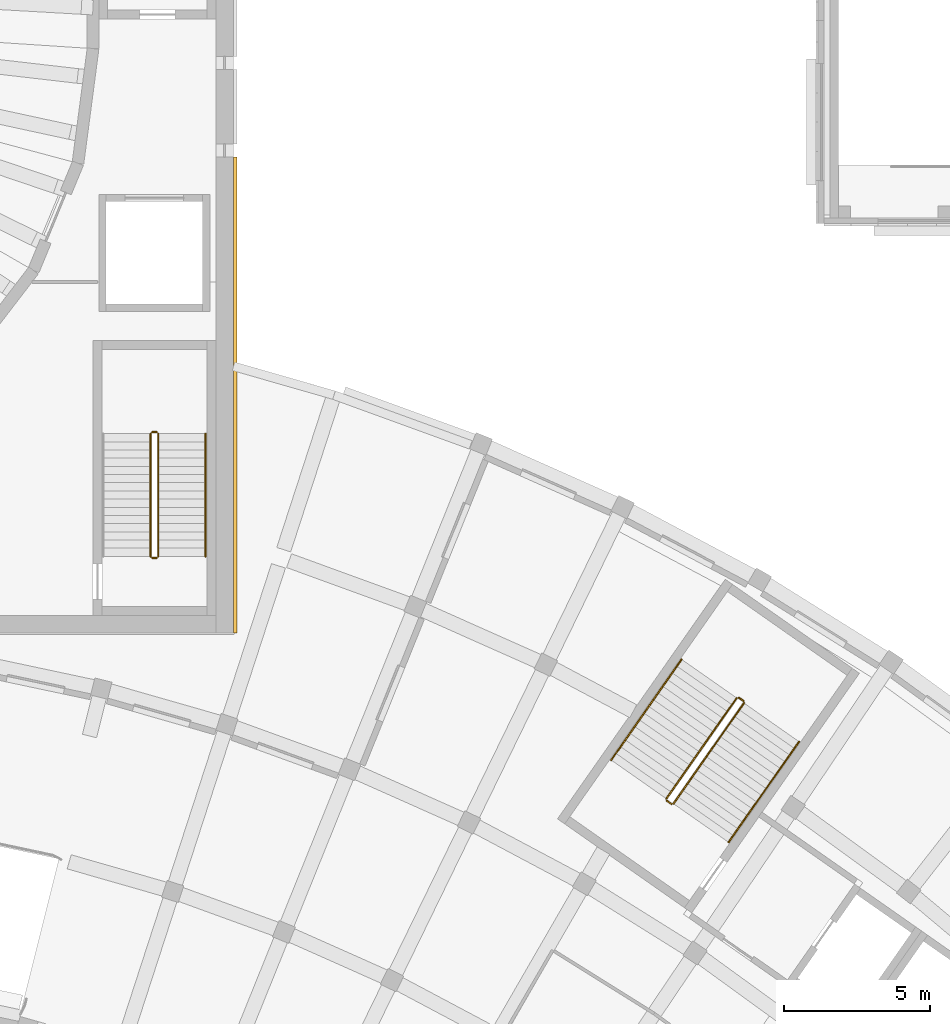
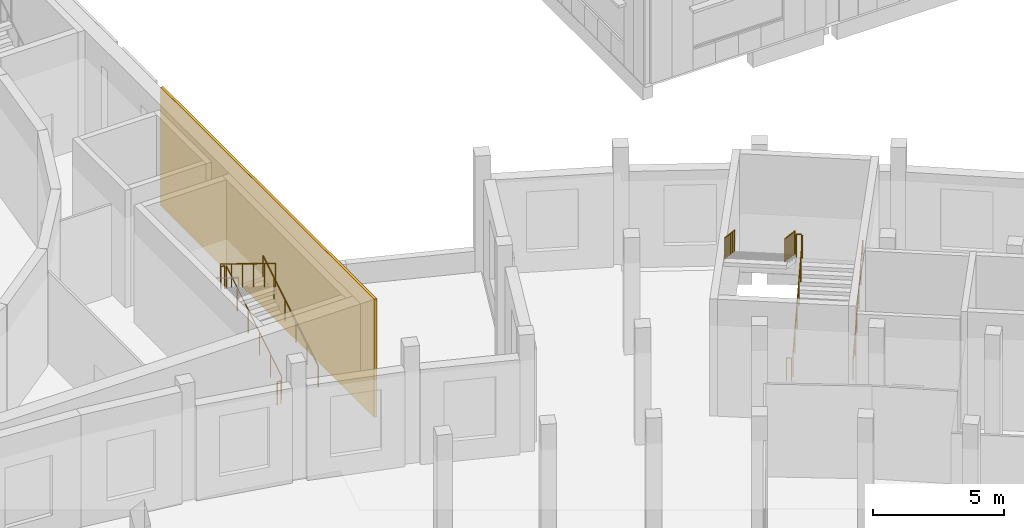
# One storey, part 110 of 132: 11 railings, 1 covering.
"""IFC4 building model written with IfcOpenShell, lengths in metres."""

from ifc_helpers import new_model, si_unit, direction, frame, origin, origin_2d, place, context, subcontext, project, spatial, rectangle, circle, extrude, material, layer, layer_set, type_object, element, save


model = new_model("IFC4")

# Units and contexts
model_context = context("Model", 3, precision=1e-05, world=origin(), true_north=direction((0.0, 1.0)))
body_context = subcontext(model_context, "Body", "Model", "MODEL_VIEW")
ifc_project = project(units=[si_unit("LENGTHUNIT", "METRE"), si_unit("AREAUNIT", "SQUARE_METRE"), si_unit("VOLUMEUNIT", "CUBIC_METRE"), si_unit("PLANEANGLEUNIT", "RADIAN"), si_unit("MASSUNIT", "GRAM", prefix="KILO")], contexts=[model_context])

# Site, building, storey
site_placement = place(None, origin())
site = spatial("IfcSite", under=ifc_project, at=site_placement, CompositionType="ELEMENT")
building_placement = place(site_placement, origin())
building = spatial("IfcBuilding", under=site, at=building_placement, Name="Lunette Opera House", CompositionType="ELEMENT")
storey_placement = place(building_placement, frame((0.0, 0.0, 17.0)))
storey = spatial("IfcBuildingStorey", under=building, at=storey_placement, Name="L03", CompositionType="ELEMENT", Elevation=17.0)

# Covering
ifc_material_1 = material(Name="Clinker brick", Category="masonry")
ifc_layer = layer(ifc_material_1, 0.114990234375)
ifc_layer_set = layer_set([ifc_layer], Name="Clinker brick")
covering_type = type_object("IfcCoveringType", Name="CLINKER CLADDING 115", PredefinedType="CLADDING", material=ifc_layer_set)
covering_placement = place(storey_placement, frame((116.05810546875, 72.137939453125, 0.0), z_axis=(0.0, 0.0, 1.0), x_axis=(1.0, 0.0, 0.0)))
element("IfcCovering", 1, at=covering_placement, inside=storey, type_object=covering_type, Name="Clinker cladding WE L03 1", PredefinedType="CLADDING", context=body_context, shape_type="SweptSolid", body=[
    extrude(rectangle(XDim=0.114990234375, YDim=16.27490234375, at=origin_2d()), origin(), (0.0, 0.0, 1.0), 5.5),
])

# Railings
ifc_material_2 = material(Name="Steel S355", Category="steel")
railing_type_1 = type_object("IfcRailingType", Name="STAIR GUARD 1100", PredefinedType="GUARDRAIL", material=ifc_material_2)
railing_1_placement = place(storey_placement, frame((131.051025390625, 58.16455078125, 0.171875)))
element("IfcRailing", 2, at=railing_1_placement, inside=storey, type_object=railing_type_1, Name="L03 ST3 stair guard 1", PredefinedType="GUARDRAIL", context=body_context, shape_type="SweptSolid", body=[
    extrude(circle(Radius=0.02392578125, at=origin_2d()), frame((0.0, 0.0, 1.076171875), z_axis=(0.488853125881, 0.698106835216, 0.523134273338), x_axis=(-0.819133598779, 0.573602778367, 0.0)), (0.0, 0.0, 1.0), 4.92822265625),
    extrude(circle(Radius=0.02099609375, at=origin_2d()), origin(), (0.0, 0.0, 1.0), 1.052001953125),
    extrude(circle(Radius=0.02099609375, at=origin_2d()), frame((0.48193359375, 0.68798828125, 0.515625)), (0.0, 0.0, 1.0), 1.052001953125),
    extrude(circle(Radius=0.02099609375, at=origin_2d()), frame((0.963623046875, 1.376220703125, 1.03125)), (0.0, 0.0, 1.0), 1.052001953125),
    extrude(circle(Radius=0.02099609375, at=origin_2d()), frame((1.445556640625, 2.064208984375, 1.546875)), (0.0, 0.0, 1.0), 1.052001953125),
    extrude(circle(Radius=0.02099609375, at=origin_2d()), frame((1.92724609375, 2.75244140625, 2.0625)), (0.0, 0.0, 1.0), 1.052001953125),
    extrude(circle(Radius=0.02099609375, at=origin_2d()), frame((2.4091796875, 3.4404296875, 2.578125)), (0.0, 0.0, 1.0), 1.052001953125),
])
railing_2_placement = place(storey_placement, frame((133.44775390625, 61.6748046875, 2.75)))
element("IfcRailing", 3, at=railing_2_placement, inside=storey, type_object=railing_type_1, Name="L03 ST3 stair guard 2", PredefinedType="GUARDRAIL", context=body_context, shape_type="SweptSolid", body=[
    extrude(circle(Radius=0.02392578125, at=origin_2d()), frame((0.0, 0.0, 1.076171875), z_axis=(-0.819289108261, 0.573380638917, 0.0), x_axis=(-0.573380638917, -0.819289108261, 0.0)), (0.0, 0.0, 1.0), 0.200439453125),
    extrude(circle(Radius=0.02099609375, at=origin_2d()), origin(), (0.0, 0.0, 1.0), 1.052001953125),
    extrude(circle(Radius=0.02099609375, at=origin_2d()), frame((-0.164306640625, 0.114990234375, 0.0)), (0.0, 0.0, 1.0), 1.052001953125),
])
railing_3_placement = place(storey_placement, frame((133.2138671875, 61.777587890625, 2.921875)))
element("IfcRailing", 4, at=railing_3_placement, inside=storey, type_object=railing_type_1, Name="L03 ST3 stair guard 3", PredefinedType="GUARDRAIL", context=body_context, shape_type="SweptSolid", body=[
    extrude(circle(Radius=0.02392578125, at=origin_2d()), frame((0.0, 0.0, 1.076171875), z_axis=(-0.488798518461, -0.69814913557, 0.523128849189), x_axis=(0.819180032231, -0.573536463352, 0.0)), (0.0, 0.0, 1.0), 4.92822265625),
    extrude(circle(Radius=0.02099609375, at=origin_2d()), origin(), (0.0, 0.0, 1.0), 1.052001953125),
    extrude(circle(Radius=0.02099609375, at=origin_2d()), frame((-0.481689453125, -0.688232421875, 0.515625)), (0.0, 0.0, 1.0), 1.052001953125),
    extrude(circle(Radius=0.02099609375, at=origin_2d()), frame((-0.963623046875, -1.376220703125, 1.03125)), (0.0, 0.0, 1.0), 1.052001953125),
    extrude(circle(Radius=0.02099609375, at=origin_2d()), frame((-1.4453125, -2.064453125, 1.546875)), (0.0, 0.0, 1.0), 1.052001953125),
    extrude(circle(Radius=0.02099609375, at=origin_2d()), frame((-1.92724609375, -2.75244140625, 2.0625)), (0.0, 0.0, 1.0), 1.052001953125),
    extrude(circle(Radius=0.02099609375, at=origin_2d()), frame((-2.408935546875, -3.440673828125, 2.578125)), (0.0, 0.0, 1.0), 1.052001953125),
])
railing_4_placement = place(storey_placement, frame((130.9814453125, 58.15234375, 0.0)))
element("IfcRailing", 5, at=railing_4_placement, inside=storey, type_object=railing_type_1, Name="L03 ST3 stair guard 4", PredefinedType="GUARDRAIL", context=body_context, shape_type="SweptSolid", body=[
    extrude(circle(Radius=0.02392578125, at=origin_2d()), frame((0.0, 0.0, 1.076171875), z_axis=(-0.819289108261, 0.573380638917, 0.0), x_axis=(-0.573380638917, -0.819289108261, 0.0)), (0.0, 0.0, 1.0), 0.200439453125),
    extrude(circle(Radius=0.02099609375, at=origin_2d()), origin(), (0.0, 0.0, 1.0), 1.052001953125),
    extrude(circle(Radius=0.02099609375, at=origin_2d()), frame((-0.164306640625, 0.114990234375, 0.0)), (0.0, 0.0, 1.0), 1.052001953125),
])
railing_5_placement = place(storey_placement, frame((113.429931640625, 66.6201171875, 0.171875)))
element("IfcRailing", 6, at=railing_5_placement, inside=storey, type_object=railing_type_1, Name="L03 ST8 stair guard 1", PredefinedType="GUARDRAIL", context=body_context, shape_type="SweptSolid", body=[
    extrude(circle(Radius=0.02392578125, at=origin_2d()), frame((0.0, 0.0, 1.076171875), z_axis=(0.0, 0.852242915053, 0.523146264196), x_axis=(-1.0, 0.0, 0.0)), (0.0, 0.0, 1.0), 4.92822265625),
    extrude(circle(Radius=0.02099609375, at=origin_2d()), origin(), (0.0, 0.0, 1.0), 1.052001953125),
    extrude(circle(Radius=0.02099609375, at=origin_2d()), frame((0.0, 0.840087890625, 0.515625)), (0.0, 0.0, 1.0), 1.052001953125),
    extrude(circle(Radius=0.02099609375, at=origin_2d()), frame((0.0, 1.679931640625, 1.03125)), (0.0, 0.0, 1.0), 1.052001953125),
    extrude(circle(Radius=0.02099609375, at=origin_2d()), frame((0.0, 2.52001953125, 1.546875)), (0.0, 0.0, 1.0), 1.052001953125),
    extrude(circle(Radius=0.02099609375, at=origin_2d()), frame((0.0, 3.35986328125, 2.0625)), (0.0, 0.0, 1.0), 1.052001953125),
    extrude(circle(Radius=0.02099609375, at=origin_2d()), frame((0.0, 4.199951171875, 2.578125)), (0.0, 0.0, 1.0), 1.052001953125),
])
railing_6_placement = place(storey_placement, frame((113.3798828125, 70.8701171875, 2.75)))
element("IfcRailing", 7, at=railing_6_placement, inside=storey, type_object=railing_type_1, Name="L03 ST8 stair guard 2", PredefinedType="GUARDRAIL", context=body_context, shape_type="SweptSolid", body=[
    extrude(circle(Radius=0.02392578125, at=origin_2d()), frame((0.0, 0.0, 1.076171875), z_axis=(-1.0, 0.0, 0.0), x_axis=(0.0, -1.0, 0.0)), (0.0, 0.0, 1.0), 0.159912109375),
    extrude(circle(Radius=0.02099609375, at=origin_2d()), origin(), (0.0, 0.0, 1.0), 1.052001953125),
    extrude(circle(Radius=0.02099609375, at=origin_2d()), frame((-0.159912109375, 0.0, 0.0)), (0.0, 0.0, 1.0), 1.052001953125),
])
railing_7_placement = place(storey_placement, frame((113.169921875, 70.820068359375, 2.921875)))
element("IfcRailing", 8, at=railing_7_placement, inside=storey, type_object=railing_type_1, Name="L03 ST8 stair guard 3", PredefinedType="GUARDRAIL", context=body_context, shape_type="SweptSolid", body=[
    extrude(circle(Radius=0.02392578125, at=origin_2d()), frame((0.0, 0.0, 1.076171875), z_axis=(0.0, -0.852242915053, 0.523146264196), x_axis=(1.0, 0.0, 0.0)), (0.0, 0.0, 1.0), 4.92822265625),
    extrude(circle(Radius=0.02099609375, at=origin_2d()), origin(), (0.0, 0.0, 1.0), 1.052001953125),
    extrude(circle(Radius=0.02099609375, at=origin_2d()), frame((0.0, -0.840087890625, 0.515625)), (0.0, 0.0, 1.0), 1.052001953125),
    extrude(circle(Radius=0.02099609375, at=origin_2d()), frame((0.0, -1.679931640625, 1.03125)), (0.0, 0.0, 1.0), 1.052001953125),
    extrude(circle(Radius=0.02099609375, at=origin_2d()), frame((0.0, -2.52001953125, 1.546875)), (0.0, 0.0, 1.0), 1.052001953125),
    extrude(circle(Radius=0.02099609375, at=origin_2d()), frame((0.0, -3.35986328125, 2.0625)), (0.0, 0.0, 1.0), 1.052001953125),
    extrude(circle(Radius=0.02099609375, at=origin_2d()), frame((0.0, -4.199951171875, 2.578125)), (0.0, 0.0, 1.0), 1.052001953125),
])
railing_8_placement = place(storey_placement, frame((113.3798828125, 66.570068359375, 0.0)))
element("IfcRailing", 9, at=railing_8_placement, inside=storey, type_object=railing_type_1, Name="L03 ST8 stair guard 4", PredefinedType="GUARDRAIL", context=body_context, shape_type="SweptSolid", body=[
    extrude(circle(Radius=0.02392578125, at=origin_2d()), frame((0.0, 0.0, 1.076171875), z_axis=(-1.0, 0.0, 0.0), x_axis=(0.0, -1.0, 0.0)), (0.0, 0.0, 1.0), 0.159912109375),
    extrude(circle(Radius=0.02099609375, at=origin_2d()), origin(), (0.0, 0.0, 1.0), 1.052001953125),
    extrude(circle(Radius=0.02099609375, at=origin_2d()), frame((-0.159912109375, 0.0, 0.0)), (0.0, 0.0, 1.0), 1.052001953125),
])
ifc_material_3 = material(Name="Steel S355", Category="steel")
railing_type_2 = type_object("IfcRailingType", Name="STAIR HANDRAIL 1000", PredefinedType="HANDRAIL", material=ifc_material_3)
railing_9_placement = place(storey_placement, frame((132.93505859375, 56.845458984375, 0.171875)))
element("IfcRailing", 10, at=railing_9_placement, inside=storey, type_object=railing_type_2, Name="L03 ST3 stair handrail 1", PredefinedType="HANDRAIL", context=body_context, shape_type="SweptSolid", body=[
    extrude(circle(Radius=0.02392578125, at=origin_2d()), frame((0.0, 0.0, 0.97607421875), z_axis=(0.488853125881, 0.698106835216, 0.523134273338), x_axis=(-0.819133598779, 0.573602778367, 0.0)), (0.0, 0.0, 1.0), 4.92822265625),
    extrude(circle(Radius=0.02099609375, at=origin_2d()), origin(), (0.0, 0.0, 1.0), 0.951904296875),
    extrude(circle(Radius=0.02099609375, at=origin_2d()), frame((0.48193359375, 0.68798828125, 0.515625)), (0.0, 0.0, 1.0), 0.951904296875),
    extrude(circle(Radius=0.02099609375, at=origin_2d()), frame((0.963623046875, 1.376220703125, 1.03125)), (0.0, 0.0, 1.0), 0.951904296875),
    extrude(circle(Radius=0.02099609375, at=origin_2d()), frame((1.445556640625, 2.064208984375, 1.546875)), (0.0, 0.0, 1.0), 0.951904296875),
    extrude(circle(Radius=0.02099609375, at=origin_2d()), frame((1.92724609375, 2.75244140625, 2.0625)), (0.0, 0.0, 1.0), 0.951904296875),
    extrude(circle(Radius=0.02099609375, at=origin_2d()), frame((2.4091796875, 3.4404296875, 2.578125)), (0.0, 0.0, 1.0), 0.951904296875),
])
railing_10_placement = place(storey_placement, frame((131.329833984375, 63.0966796875, 2.921875)))
element("IfcRailing", 11, at=railing_10_placement, inside=storey, type_object=railing_type_2, Name="L03 ST3 stair handrail 2", PredefinedType="HANDRAIL", context=body_context, shape_type="SweptSolid", body=[
    extrude(circle(Radius=0.02392578125, at=origin_2d()), frame((0.0, 0.0, 0.97607421875), z_axis=(-0.488815424036, -0.698123741311, 0.523146942112), x_axis=(0.819160910421, -0.573563773994, 0.0)), (0.0, 0.0, 1.0), 4.92822265625),
    extrude(circle(Radius=0.02099609375, at=origin_2d()), origin(), (0.0, 0.0, 1.0), 0.951904296875),
    extrude(circle(Radius=0.02099609375, at=origin_2d()), frame((-0.481689453125, -0.68798828125, 0.515625)), (0.0, 0.0, 1.0), 0.951904296875),
    extrude(circle(Radius=0.02099609375, at=origin_2d()), frame((-0.963623046875, -1.376220703125, 1.03125)), (0.0, 0.0, 1.0), 0.951904296875),
    extrude(circle(Radius=0.02099609375, at=origin_2d()), frame((-1.4453125, -2.064208984375, 1.546875)), (0.0, 0.0, 1.0), 0.951904296875),
    extrude(circle(Radius=0.02099609375, at=origin_2d()), frame((-1.92724609375, -2.75244140625, 2.0625)), (0.0, 0.0, 1.0), 0.951904296875),
    extrude(circle(Radius=0.02099609375, at=origin_2d()), frame((-2.408935546875, -3.4404296875, 2.578125)), (0.0, 0.0, 1.0), 0.951904296875),
])
railing_11_placement = place(storey_placement, frame((115.050048828125, 66.6201171875, 0.171875)))
element("IfcRailing", 12, at=railing_11_placement, inside=storey, type_object=railing_type_2, Name="L03 ST8 stair handrail 1", PredefinedType="HANDRAIL", context=body_context, shape_type="SweptSolid", body=[
    extrude(circle(Radius=0.02392578125, at=origin_2d()), frame((0.0, 0.0, 0.97607421875), z_axis=(0.0, 0.852242915053, 0.523146264196), x_axis=(-1.0, 0.0, 0.0)), (0.0, 0.0, 1.0), 4.92822265625),
    extrude(circle(Radius=0.02099609375, at=origin_2d()), origin(), (0.0, 0.0, 1.0), 0.951904296875),
    extrude(circle(Radius=0.02099609375, at=origin_2d()), frame((0.0, 0.840087890625, 0.515625)), (0.0, 0.0, 1.0), 0.951904296875),
    extrude(circle(Radius=0.02099609375, at=origin_2d()), frame((0.0, 1.679931640625, 1.03125)), (0.0, 0.0, 1.0), 0.951904296875),
    extrude(circle(Radius=0.02099609375, at=origin_2d()), frame((0.0, 2.52001953125, 1.546875)), (0.0, 0.0, 1.0), 0.951904296875),
    extrude(circle(Radius=0.02099609375, at=origin_2d()), frame((0.0, 3.35986328125, 2.0625)), (0.0, 0.0, 1.0), 0.951904296875),
    extrude(circle(Radius=0.02099609375, at=origin_2d()), frame((0.0, 4.199951171875, 2.578125)), (0.0, 0.0, 1.0), 0.951904296875),
])

save(model, "model.ifc")
